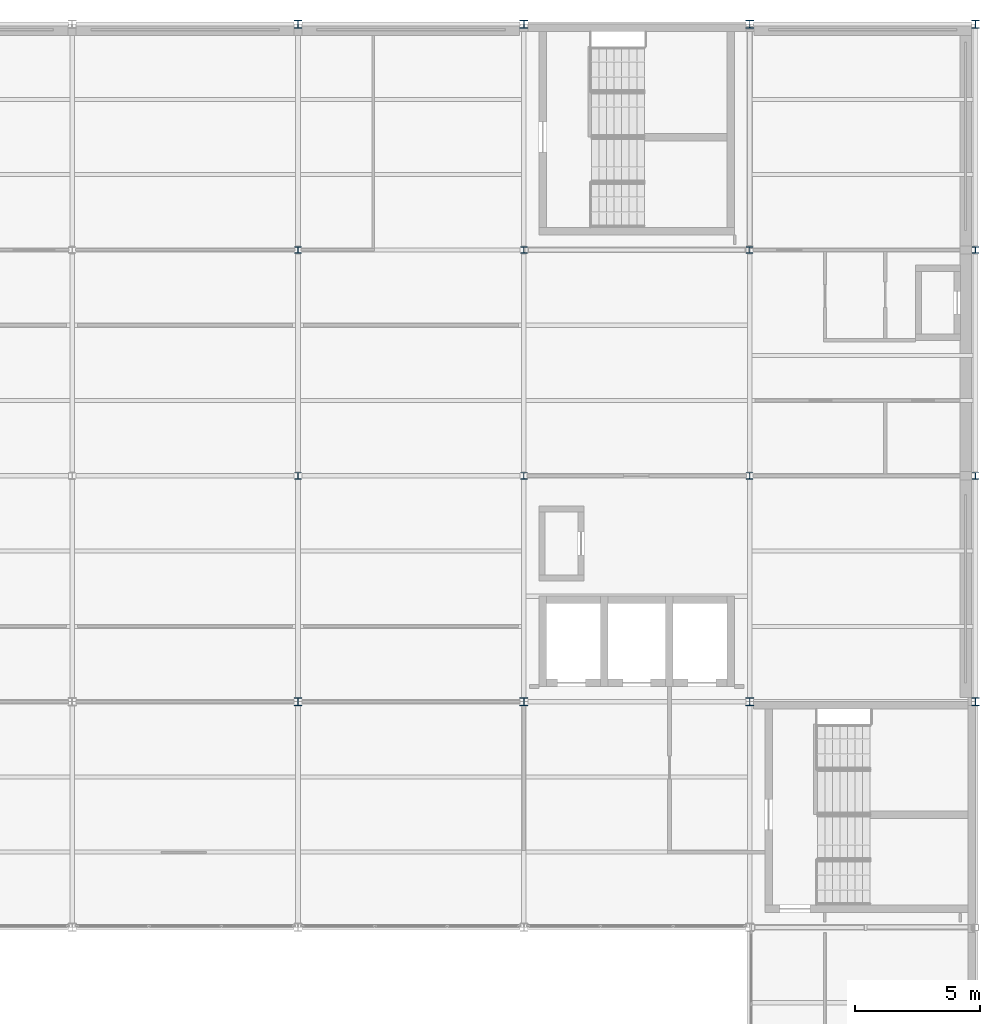
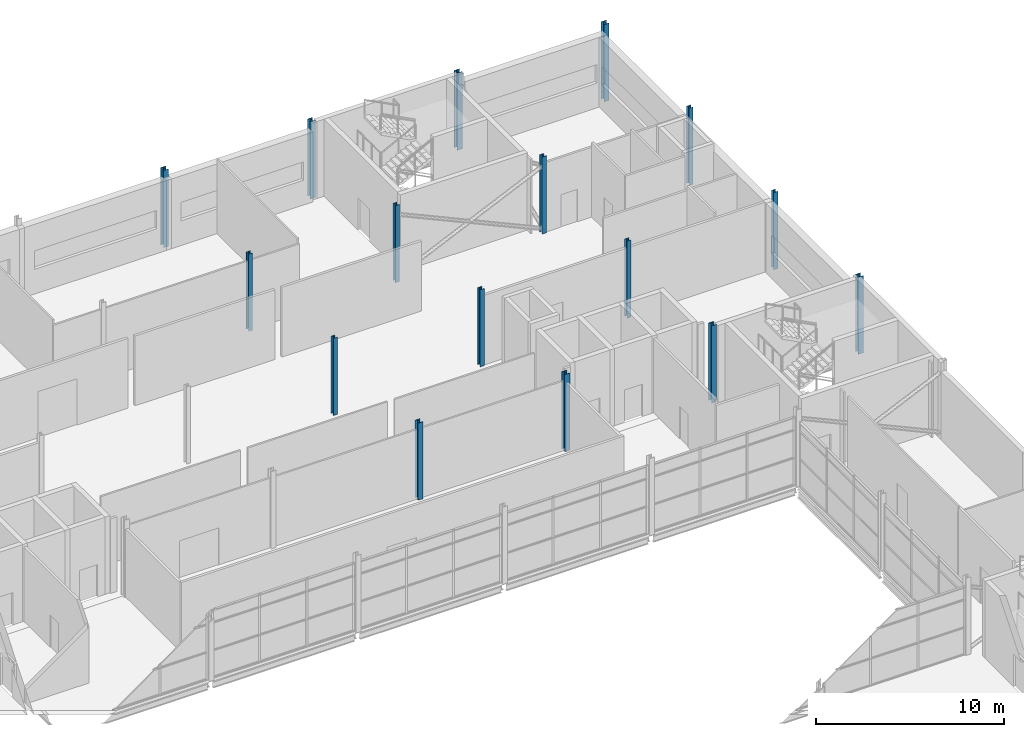
# One storey, part 6 of 61: 16 columns.
"""IFC4 building model written with IfcOpenShell, lengths in metres."""

from ifc_helpers import new_model, si_unit, direction, frame, origin, origin_2d, place, context, subcontext, project, spatial, i_section, extrude, material, material_profile, profile_set, type_object, element, save


model = new_model("IFC4")

# Units and contexts
model_context = context("Model", 3, precision=1e-05, world=origin(), true_north=direction((0.0, 1.0)))
body_context = subcontext(model_context, "Body", "Model", "MODEL_VIEW")
ifc_project = project(units=[si_unit("LENGTHUNIT", "METRE"), si_unit("AREAUNIT", "SQUARE_METRE"), si_unit("VOLUMEUNIT", "CUBIC_METRE"), si_unit("PLANEANGLEUNIT", "RADIAN"), si_unit("MASSUNIT", "GRAM", prefix="KILO")], contexts=[model_context])

# Site, building, storey
site_placement = place(None, origin())
site = spatial("IfcSite", under=ifc_project, at=site_placement, CompositionType="ELEMENT")
building_placement = place(site_placement, origin())
building = spatial("IfcBuilding", under=site, at=building_placement, Name="Shorebreak Coast Museum", CompositionType="ELEMENT")
storey_placement = place(building_placement, frame((0.0, 0.0, 26.0)))
storey = spatial("IfcBuildingStorey", under=building, at=storey_placement, Name="L04", CompositionType="ELEMENT", Elevation=26.0)

# Columns
ifc_material_1 = material(Name="Steel Grade 300", Category="steel")
ifc_material_profile_1 = material_profile(ifc_material_1, i_section(OverallWidth=0.256103515625, OverallDepth=0.260009765625, WebThickness=0.010498046875, FlangeThickness=0.017333984375, FilletRadius=0.013916015625, at=origin_2d()), Name="250UC89.5")
ifc_profile_set_1 = profile_set([ifc_material_profile_1], Name="Steel Grade 300")
column_type_1 = type_object("IfcColumnType", Name="Column 250UC89.5", PredefinedType="COLUMN", material=ifc_profile_set_1)
for number, where, z_axis, x_axis, name in (
    (1, (90.0, 99.0, 0.0), (0.0, 0.0, 1.0), (1.0, 0.0, 0.0), "Column L04 11M"),
    (2, (99.0, 99.0, 0.0), (0.0, 0.0, 1.0), (1.0, 0.0, 0.0), "Column L04 12M"),
    (3, (108.0, 99.0, 0.0), (0.0, 0.0, 1.0), (1.0, 0.0, 0.0), "Column L04 13M"),
    (4, (117.0, 99.0, 0.0), (0.0, 0.0, 1.0), (1.0, 0.0, 0.0), "Column L04 14M"),
    (5, (90.0, 108.0, 0.0), (0.0, 0.0, 1.0), (1.0, 0.0, 0.0), "Column L04 11N"),
    (6, (99.0, 108.0, 0.0), (0.0, 0.0, 1.0), (1.0, 0.0, 0.0), "Column L04 12N"),
    (7, (108.0, 108.0, 0.0), (0.0, 0.0, 1.0), (1.0, 0.0, 0.0), "Column L04 13N"),
    (8, (117.0, 108.0, 0.0), (0.0, 0.0, 1.0), (1.0, 0.0, 0.0), "Column L04 14N"),
):
    element("IfcColumn", number, at=place(storey_placement, frame(where, z_axis=z_axis, x_axis=x_axis)), inside=storey, type_object=column_type_1, Name=name, PredefinedType="COLUMN", context=body_context, shape_type="SweptSolid", body=[
        extrude(i_section(OverallWidth=0.256103515625, OverallDepth=0.260009765625, WebThickness=0.010498046875, FlangeThickness=0.017333984375, FilletRadius=0.013916015625, at=origin_2d()), origin(), (0.0, 0.0, 1.0), 5.0),
    ])
ifc_material_2 = material(Name="Steel Grade 300", Category="steel")
ifc_material_profile_2 = material_profile(ifc_material_2, i_section(OverallWidth=0.31103515625, OverallDepth=0.3271484375, WebThickness=0.015625, FlangeThickness=0.02490234375, FilletRadius=0.0166015625, at=origin_2d()), Name="310UC158")
ifc_profile_set_2 = profile_set([ifc_material_profile_2], Name="Steel Grade 300")
column_type_2 = type_object("IfcColumnType", Name="Column 310UC158", PredefinedType="COLUMN", material=ifc_profile_set_2)
for number, where, z_axis, x_axis, name in (
    (9, (90.0, 90.0, 0.0), (0.0, 0.0, 1.0), (1.0, 0.0, 0.0), "Column L04 11L"),
    (10, (99.0, 90.0, 0.0), (0.0, 0.0, 1.0), (1.0, 0.0, 0.0), "Column L04 12L"),
    (11, (108.0, 90.0, 0.0), (0.0, 0.0, 1.0), (1.0, 0.0, 0.0), "Column L04 13L"),
    (12, (117.0, 90.0, 0.0), (0.0, 0.0, 1.0), (1.0, 0.0, 0.0), "Column L04 14L"),
    (13, (90.0, 117.0, 0.0), (0.0, 0.0, 1.0), (1.0, 0.0, 0.0), "Column L04 11P"),
    (14, (99.0, 117.0, 0.0), (0.0, 0.0, 1.0), (1.0, 0.0, 0.0), "Column L04 12P"),
    (15, (108.0, 117.0, 0.0), (0.0, 0.0, 1.0), (1.0, 0.0, 0.0), "Column L04 13P"),
    (16, (117.0, 117.0, 0.0), (0.0, 0.0, 1.0), (1.0, 0.0, 0.0), "Column L04 14P"),
):
    element("IfcColumn", number, at=place(storey_placement, frame(where, z_axis=z_axis, x_axis=x_axis)), inside=storey, type_object=column_type_2, Name=name, PredefinedType="COLUMN", context=body_context, shape_type="SweptSolid", body=[
        extrude(i_section(OverallWidth=0.31103515625, OverallDepth=0.3271484375, WebThickness=0.015625, FlangeThickness=0.02490234375, FilletRadius=0.0166015625, at=origin_2d()), origin(), (0.0, 0.0, 1.0), 5.0),
    ])

save(model, "model.ifc")
